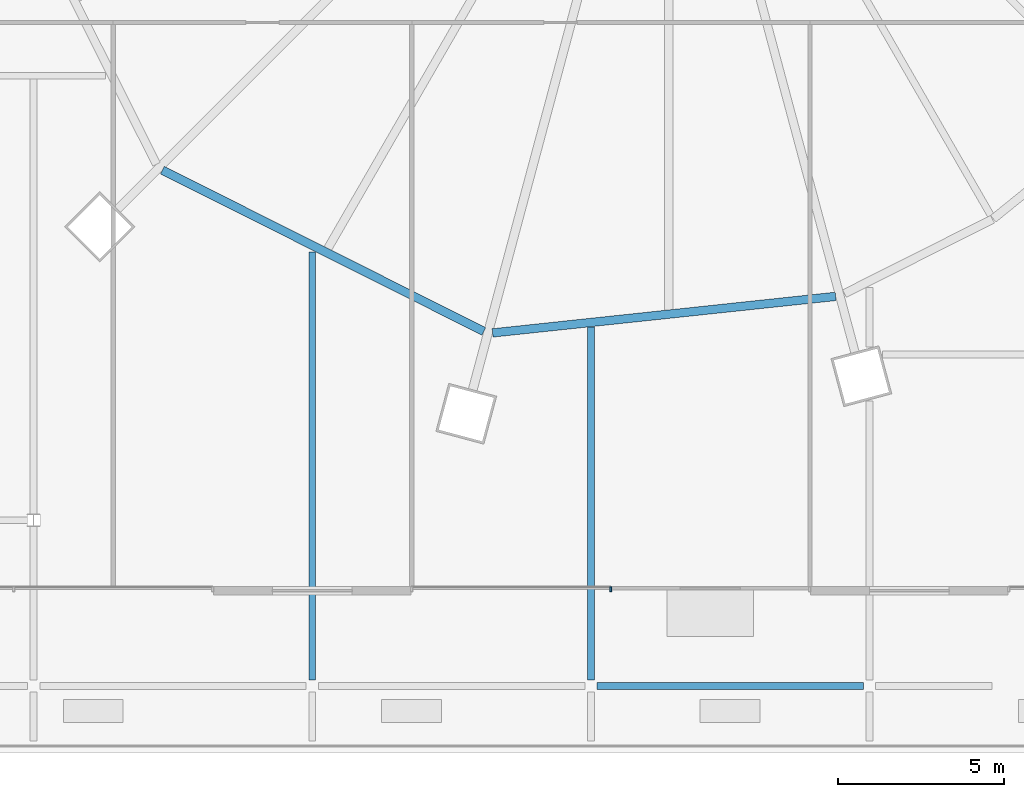
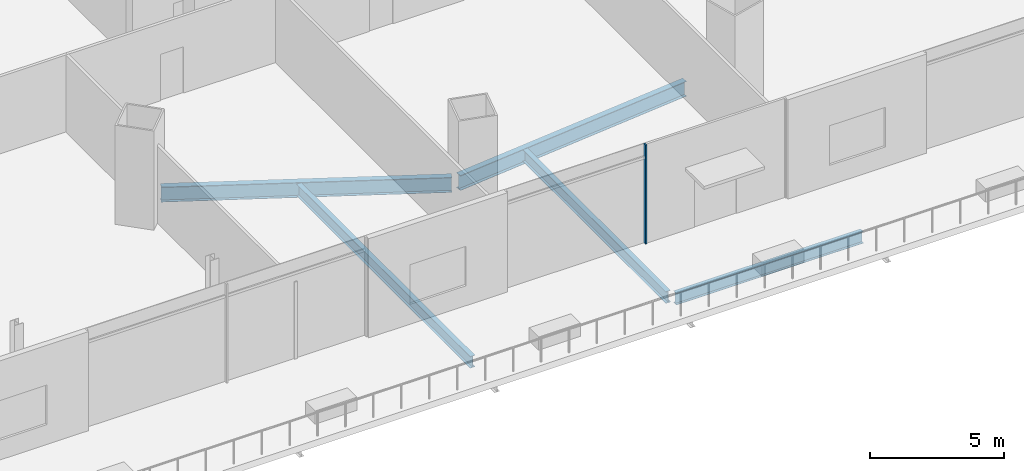
# One storey, part 22 of 52: 5 beams, 1 member, 1 element without a shape of its own.
"""IFC4 building model written with IfcOpenShell, lengths in metres."""

from ifc_helpers import new_model, si_unit, direction, frame, origin, origin_2d, place, context, subcontext, project, spatial, rectangle, i_section, extrude, material, material_profile, profile_set, type_object, element, aggregate, save


model = new_model("IFC4")

# Units and contexts
model_context = context("Model", 3, precision=1e-05, world=origin(), true_north=direction((0.0, 1.0)))
body_context = subcontext(model_context, "Body", "Model", "MODEL_VIEW")
ifc_project = project(units=[si_unit("LENGTHUNIT", "METRE"), si_unit("AREAUNIT", "SQUARE_METRE"), si_unit("VOLUMEUNIT", "CUBIC_METRE"), si_unit("PLANEANGLEUNIT", "RADIAN"), si_unit("MASSUNIT", "GRAM", prefix="KILO")], contexts=[model_context])

# Site, building, storey
site_placement = place(None, origin())
site = spatial("IfcSite", under=ifc_project, at=site_placement, CompositionType="ELEMENT")
building_placement = place(site_placement, origin())
building = spatial("IfcBuilding", under=site, at=building_placement, Name="Rimbun Link Towers", CompositionType="ELEMENT")
storey_placement = place(building_placement, frame((0.0, 0.0, 21.0)))
storey = spatial("IfcBuildingStorey", under=building, at=storey_placement, Name="L04", CompositionType="ELEMENT", Elevation=21.0)

# Curtain wall, member
ifc_material_1 = material(Name="Aluminium 6063-T6 and low-iron glass", Category="aluminium")
curtain_wall_type = type_object("IfcCurtainWallType", Name="CW3 podium shopfront", PredefinedType="NOTDEFINED", material=ifc_material_1)
curtain_wall_placement = place(storey_placement, origin())
curtain_wall = element("IfcCurtainWall", 1, at=curtain_wall_placement, inside=storey, type_object=curtain_wall_type, Name="CW3 L04 PD", PredefinedType="NOTDEFINED")
ifc_material_2 = material(Name="Aluminium 6063-T6", Category="aluminium")
ifc_material_profile_1 = material_profile(ifc_material_2, rectangle(XDim=0.14990234375, YDim=0.06005859375, at=origin_2d()), Name="MULLION 60X150")
ifc_profile_set_1 = profile_set([ifc_material_profile_1], Name="Aluminium 6063-T6")
member_type = type_object("IfcMemberType", Name="CW3 mullion 60X150", PredefinedType="MULLION", material=ifc_profile_set_1)
member_placement = place(storey_placement, frame((30.0, -28.074951171875, 0.0), z_axis=(0.0, 0.0, 1.0), x_axis=(0.0, -1.0, 0.0)))
member = element("IfcMember", 2, at=member_placement, type_object=member_type, Name="CW3 mullion", PredefinedType="MULLION", context=body_context, shape_type="SweptSolid", body=[
    extrude(rectangle(XDim=0.14990234375, YDim=0.06005859375, at=origin_2d()), origin(), (0.0, 0.0, 1.0), 4.5),
])
aggregate(curtain_wall, [member])

# Beams
ifc_material_3 = material(Name="Steel S355J2", Category="steel")
ifc_material_profile_2 = material_profile(ifc_material_3, i_section(OverallWidth=0.209228515625, OverallDepth=0.533203125, WebThickness=0.010009765625, FlangeThickness=0.015625, at=origin_2d()), Name="UB 533x210x92")
ifc_profile_set_2 = profile_set([ifc_material_profile_2], Name="Steel S355J2")
beam_type_1 = type_object("IfcBeamType", Name="UB 533x210x92", PredefinedType="BEAM", material=ifc_profile_set_2)
beam_1_placement = place(storey_placement, frame((29.585205078125, -31.0, -0.56640625), z_axis=(1.0, 0.0, 0.0), x_axis=(0.0, 1.0, 0.0)))
element("IfcBeam", 3, at=beam_1_placement, inside=storey, type_object=beam_type_1, Name="Grid beam L04 -31.0", PredefinedType="BEAM", context=body_context, shape_type="SweptSolid", body=[
    extrude(i_section(OverallWidth=0.209228515625, OverallDepth=0.533203125, WebThickness=0.010009765625, FlangeThickness=0.015625, at=origin_2d()), origin(), (0.0, 0.0, 1.0), 8.029541015625),
])
beam_2_placement = place(storey_placement, frame((21.0, -30.819091796875, -0.56640625), z_axis=(0.0, 1.0, 0.0), x_axis=(-1.0, 0.0, 0.0)))
element("IfcBeam", 4, at=beam_2_placement, inside=storey, type_object=beam_type_1, Name="Grid beam L04 +21.0", PredefinedType="BEAM", context=body_context, shape_type="SweptSolid", body=[
    extrude(i_section(OverallWidth=0.209228515625, OverallDepth=0.533203125, WebThickness=0.010009765625, FlangeThickness=0.015625, at=origin_2d()), origin(), (0.0, 0.0, 1.0), 12.910888671875),
])
beam_3_placement = place(storey_placement, frame((29.39990234375, -30.819091796875, -0.56640625), z_axis=(0.0, 1.0, 0.0), x_axis=(-1.0, 0.0, 0.0)))
element("IfcBeam", 5, at=beam_3_placement, inside=storey, type_object=beam_type_1, Name="Grid beam L04 +29.4", PredefinedType="BEAM", context=body_context, shape_type="SweptSolid", body=[
    extrude(i_section(OverallWidth=0.209228515625, OverallDepth=0.533203125, WebThickness=0.010009765625, FlangeThickness=0.015625, at=origin_2d()), origin(), (0.0, 0.0, 1.0), 10.641845703125),
])
ifc_material_4 = material(Name="Steel S355J2", Category="steel")
ifc_material_profile_3 = material_profile(ifc_material_4, i_section(OverallWidth=0.253662109375, OverallDepth=0.68359375, WebThickness=0.012451171875, FlangeThickness=0.01904296875, at=origin_2d()), Name="UB 686x254x140")
ifc_profile_set_3 = profile_set([ifc_material_profile_3], Name="Steel S355J2")
beam_type_2 = type_object("IfcBeamType", Name="UB 686x254x140", PredefinedType="BEAM", material=ifc_profile_set_3)
beam_4_placement = place(storey_placement, frame((16.484130859375, -15.446533203125, -0.641845703125), z_axis=(0.893777409404, -0.448510805264, 0.0), x_axis=(0.448510805264, 0.893777409404, 0.0)))
element("IfcBeam", 6, at=beam_4_placement, inside=storey, type_object=beam_type_2, Name="Edge beam T2 L04 12-14", PredefinedType="BEAM", context=body_context, shape_type="SweptSolid", body=[
    extrude(i_section(OverallWidth=0.253662109375, OverallDepth=0.68359375, WebThickness=0.012451171875, FlangeThickness=0.01904296875, at=origin_2d()), origin(), (0.0, 0.0, 1.0), 10.836669921875),
])
beam_5_placement = place(storey_placement, frame((26.435302734375, -20.353271484375, -0.641845703125), z_axis=(0.994376453373, 0.105903111275, 0.0), x_axis=(-0.105903111275, 0.994376453373, 0.0)))
element("IfcBeam", 7, at=beam_5_placement, inside=storey, type_object=beam_type_2, Name="Edge beam T2 L04 14-16", PredefinedType="BEAM", context=body_context, shape_type="SweptSolid", body=[
    extrude(i_section(OverallWidth=0.253662109375, OverallDepth=0.68359375, WebThickness=0.012451171875, FlangeThickness=0.01904296875, at=origin_2d()), origin(), (0.0, 0.0, 1.0), 10.3994140625),
])

save(model, "model.ifc")
